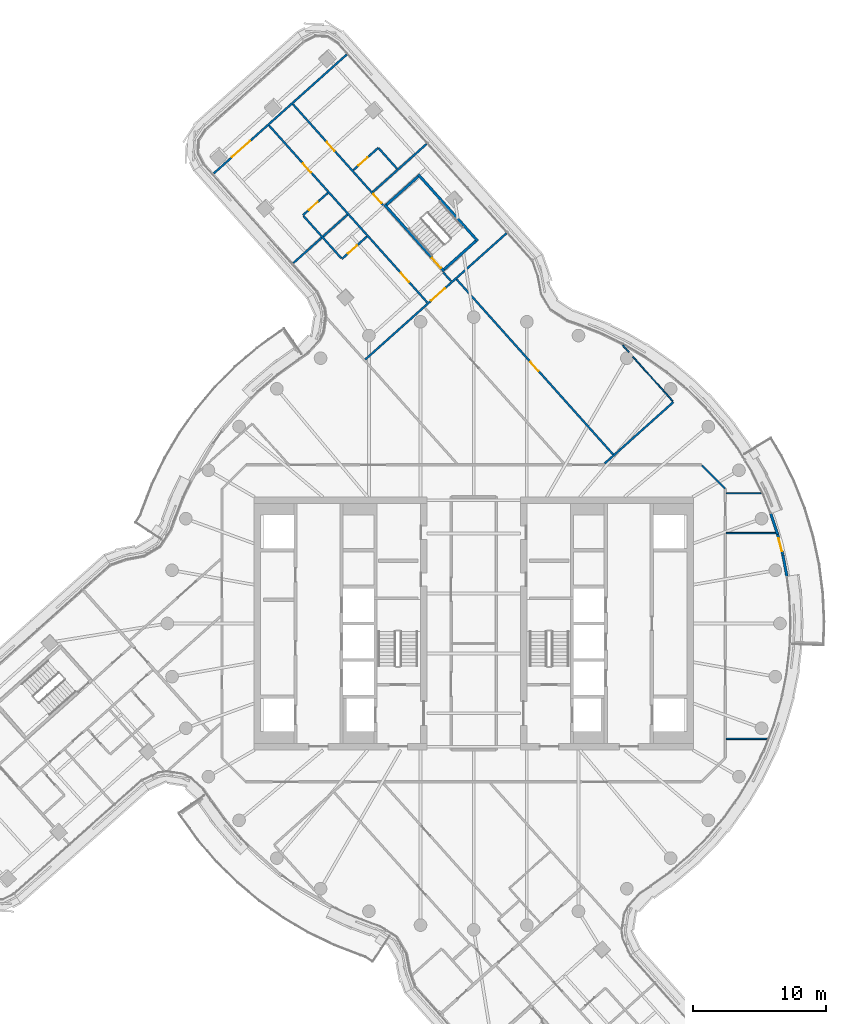
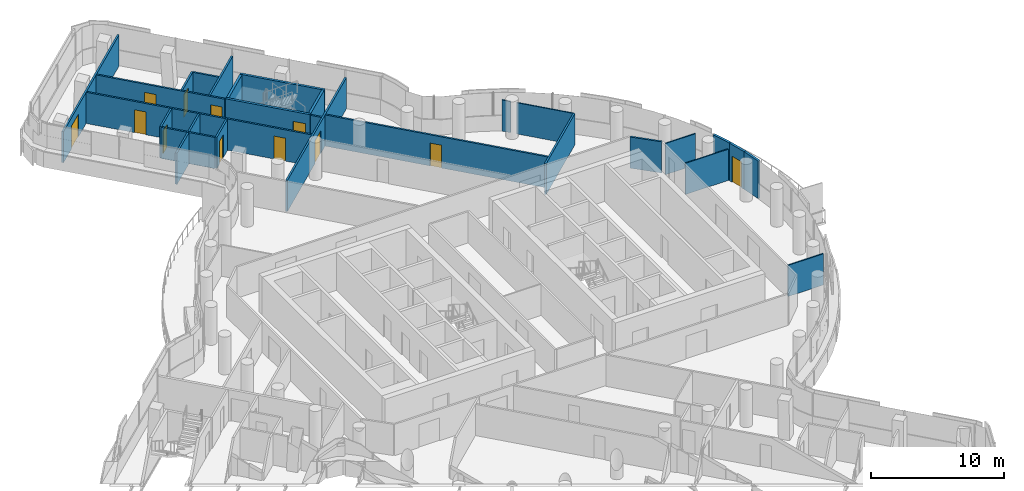
# One storey, part 24 of 33: 27 walls, 12 doors, 12 openings.
"""IFC4 building model written with IfcOpenShell, lengths in metres."""

from ifc_helpers import new_model, si_unit, direction, frame, frame_2d, origin, place, context, subcontext, project, spatial, polyline, rectangle, outline, extrude, material, layer, layer_set, type_object, element, fill, save


model = new_model("IFC4")

# Units and contexts
model_context = context("Model", 3, precision=1e-05, world=origin(), true_north=direction((0.0, 1.0)))
body_context = subcontext(model_context, "Body", "Model", "MODEL_VIEW")
ifc_project = project(units=[si_unit("LENGTHUNIT", "METRE"), si_unit("AREAUNIT", "SQUARE_METRE"), si_unit("VOLUMEUNIT", "CUBIC_METRE"), si_unit("PLANEANGLEUNIT", "RADIAN"), si_unit("MASSUNIT", "GRAM", prefix="KILO")], contexts=[model_context])

# Site, building, storey
site_placement = place(None, origin())
site = spatial("IfcSite", under=ifc_project, at=site_placement, CompositionType="ELEMENT")
building_placement = place(site_placement, origin())
building = spatial("IfcBuilding", under=site, at=building_placement, Name="Tamarind Cross Interchange Tower", CompositionType="ELEMENT")
storey_placement = place(building_placement, frame((0.0, 0.0, 186.10009765625)))
storey = spatial("IfcBuildingStorey", under=building, at=storey_placement, Name="L46", CompositionType="ELEMENT", Elevation=186.10009765625)

# Walls
ifc_material_1 = material(Name="Concrete C40", Category="concrete")
ifc_layer_1 = layer(ifc_material_1, 0.199951171875)
ifc_layer_set_1 = layer_set([ifc_layer_1], Name="Concrete C40")
wall_type_1 = type_object("IfcWallType", Name="Balcony and garden door wall", PredefinedType="SOLIDWALL", material=ifc_layer_set_1)
for number, where, z_axis, x_axis, name in (
    (1, (23.515869140625, 3.539794921875, 0.0), (0.0, 0.0, 1.0), (-0.185516890039, 0.982641075627, 0.0), "EXW-L46-06-D07L"),
    (2, (22.815185546875, 6.691650390625, 0.0), (0.0, 0.0, 1.0), (-0.311196309041, 0.950345651455, 0.0), "EXW-L46-06-D07R"),
):
    element("IfcWall", number, at=place(storey_placement, frame(where, z_axis=z_axis, x_axis=x_axis)), inside=storey, type_object=wall_type_1, Name=name, PredefinedType="SOLIDWALL", context=body_context, shape_type="SweptSolid", body=[
        extrude(rectangle(XDim=1.6318359375, YDim=0.199951171875, at=frame_2d((0.81591796875, 0.0))), origin(), (0.0, 0.0, 1.0), 3.4599609375),
    ])

# Wall, opening, door
wall_1_placement = place(storey_placement, frame((23.213134765625, 5.143310546875, 0.0), z_axis=(0.0, 0.0, 1.0), x_axis=(-0.248926442894, 0.968522393148, 0.0)))
wall_1 = element("IfcWall", 3, at=wall_1_placement, inside=storey, type_object=wall_type_1, Name="EXW-L46-06-D07", PredefinedType="SOLIDWALL", context=body_context, shape_type="SweptSolid", body=[
    extrude(rectangle(XDim=1.5986328125, YDim=0.199951171875, at=frame_2d((0.79931640625, 0.0))), origin(), (0.0, 0.0, 1.0), 3.4599609375),
])
opening_1_placement = place(wall_1_placement, frame((0.29931640625, 0.0, 0.0)))
opening_1 = element("IfcOpeningElement", 4, at=opening_1_placement, cuts=wall_1, Name="Opening D2", PredefinedType="OPENING", context=body_context, shape_type="SweptSolid", body=[
    extrude(rectangle(XDim=1.0, YDim=2.39990234375, at=frame_2d((0.5, 1.199951171875))), frame((0.0, 0.10986328125, 0.0), z_axis=(0.0, -1.0, 0.0), x_axis=(1.0, 0.0, 0.0)), (0.0, 0.0, 1.0), 0.219970703125),
])
ifc_material_2 = material(Name="Aluminium and toughened glass", Category="aluminium")
door_type_1 = type_object("IfcDoorType", Name="Balcony and garden door", OperationType="SINGLE_SWING_LEFT", PredefinedType="DOOR", material=ifc_material_2)
door_1_placement = place(opening_1_placement, origin())
door_1 = element("IfcDoor", 5, at=door_1_placement, inside=storey, type_object=door_type_1, Name="DOR-L46-06-07", OperationType="SINGLE_SWING_LEFT", OverallHeight=2.39990234375, OverallWidth=1.0, PredefinedType="DOOR", context=body_context, shape_type="SweptSolid", body=[
    extrude(rectangle(XDim=1.0, YDim=2.39990234375, at=frame_2d((0.5, 1.199951171875))), frame((0.0, 0.02490234375, 0.0), z_axis=(0.0, -1.0, 0.0), x_axis=(1.0, 0.0, 0.0)), (0.0, 0.0, 1.0), 0.050048828125),
])
fill(opening_1, door_1)

# Walls
ifc_material_3 = material(Name="Gypsum board partition on steel studs", Category="steel")
ifc_layer_2 = layer(ifc_material_3, 0.10009765625)
ifc_layer_set_2 = layer_set([ifc_layer_2], Name="Gypsum board partition on steel studs")
wall_type_2 = type_object("IfcWallType", Name="Partition 100 mm EI 90", PredefinedType="PARTITIONING", material=ifc_layer_set_2)
wall_2_placement = place(storey_placement, frame((11.188232421875, 20.8876953125, 0.0), z_axis=(0.0, 0.0, 1.0), x_axis=(0.666420937465, -0.74557570649, 0.0)))
element("IfcWall", 6, at=wall_2_placement, inside=storey, type_object=wall_type_2, Name="Partition L46-032", PredefinedType="PARTITIONING", context=body_context, shape_type="SweptSolid", body=[
    extrude(rectangle(XDim=0.706298828125, YDim=0.10009765625, at=frame_2d((0.35302734375, 0.0))), origin(), (0.0, 0.0, 1.0), 2.864013671875),
])
wall_3_placement = place(storey_placement, frame((11.955322265625, 20.029296875, 0.0), z_axis=(0.0, 0.0, 1.0), x_axis=(0.666367019428, -0.745623896759, 0.0)))
element("IfcWall", 7, at=wall_3_placement, inside=storey, type_object=wall_type_2, Name="Partition L46-033", PredefinedType="PARTITIONING", context=body_context, shape_type="SweptSolid", body=[
    extrude(rectangle(XDim=4.488037109375, YDim=0.10009765625, at=frame_2d((2.244140625, 0.0))), origin(), (0.0, 0.0, 1.0), 2.864013671875),
])
wall_4_placement = place(storey_placement, frame((18.955078125, -8.6640625, 0.0), z_axis=(0.0, 0.0, 1.0), x_axis=(1.0, 0.0, 0.0)))
element("IfcWall", 8, at=wall_4_placement, inside=storey, type_object=wall_type_2, Name="Partition L46-041", PredefinedType="PARTITIONING", context=body_context, shape_type="SweptSolid", body=[
    extrude(rectangle(XDim=3.07763671875, YDim=0.10009765625, at=frame_2d((1.538818359375, 0.0))), origin(), (0.0, 0.0, 1.0), 2.864013671875),
])
wall_5_placement = place(storey_placement, frame((18.955078125, 6.781982421875, 0.0), z_axis=(0.0, 0.0, 1.0), x_axis=(1.0, 0.0, 0.0)))
element("IfcWall", 9, at=wall_5_placement, inside=storey, type_object=wall_type_2, Name="Partition L46-042", PredefinedType="PARTITIONING", context=body_context, shape_type="SweptSolid", body=[
    extrude(rectangle(XDim=3.727294921875, YDim=0.10009765625, at=frame_2d((1.86376953125, 0.0))), origin(), (0.0, 0.0, 1.0), 2.864013671875),
])
wall_6_placement = place(storey_placement, frame((18.955078125, 9.781982421875, 0.0), z_axis=(0.0, 0.0, 1.0), x_axis=(1.0, 0.0, 0.0)))
element("IfcWall", 10, at=wall_6_placement, inside=storey, type_object=wall_type_2, Name="Partition L46-043", PredefinedType="PARTITIONING", context=body_context, shape_type="SweptSolid", body=[
    extrude(rectangle(XDim=2.618408203125, YDim=0.10009765625, at=frame_2d((1.30908203125, 0.0))), origin(), (0.0, 0.0, 1.0), 2.864013671875),
])

# Wall, openings, doors
ifc_layer_3 = layer(ifc_material_3, 0.14990234375)
ifc_layer_set_3 = layer_set([ifc_layer_3], Name="Gypsum board partition on steel studs")
wall_type_3 = type_object("IfcWallType", Name="Partition 150 mm EI 120", PredefinedType="PARTITIONING", material=ifc_layer_set_3)
wall_7_placement = place(storey_placement, frame((-15.36962890625, 37.394287109375, 0.0), z_axis=(0.0, 0.0, 1.0), x_axis=(0.666444780656, -0.745554393949, 0.0)))
wall_7 = element("IfcWall", 11, at=wall_7_placement, inside=storey, type_object=wall_type_3, Name="Partition L46-012", PredefinedType="PARTITIONING", context=body_context, shape_type="SweptSolid", body=[
    extrude(rectangle(XDim=17.8408203125, YDim=0.14990234375, at=frame_2d((8.92041015625, 0.0))), origin(), (0.0, 0.0, 1.0), 2.864013671875),
])
opening_2_placement = place(wall_7_placement, frame((14.87060546875, 0.0, 0.0)))
opening_2 = element("IfcOpeningElement", 12, at=opening_2_placement, cuts=wall_7, Name="Opening D06", PredefinedType="OPENING", context=body_context, shape_type="SweptSolid", body=[
    extrude(rectangle(XDim=0.89990234375, YDim=2.10009765625, at=frame_2d((0.449951171875, 1.050048828125))), frame((0.0, 0.0849609375, 0.0), z_axis=(0.0, -1.0, 0.0), x_axis=(1.0, 0.0, 0.0)), (0.0, 0.0, 1.0), 0.169921875),
])
opening_3_placement = place(wall_7_placement, frame((3.820068359375, 0.0, 0.0)))
opening_3 = element("IfcOpeningElement", 13, at=opening_3_placement, cuts=wall_7, Name="Opening D07", PredefinedType="OPENING", context=body_context, shape_type="SweptSolid", body=[
    extrude(rectangle(XDim=0.89990234375, YDim=2.10009765625, at=frame_2d((0.449951171875, 1.050048828125))), frame((0.0, 0.0849609375, 0.0), z_axis=(0.0, -1.0, 0.0), x_axis=(1.0, 0.0, 0.0)), (0.0, 0.0, 1.0), 0.169921875),
])
ifc_material_4 = material(Name="Fire-resisting door set")
door_type_2 = type_object("IfcDoorType", Name="Interior door 900 x 2100 FD60S", OperationType="SINGLE_SWING_LEFT", PredefinedType="DOOR", material=ifc_material_4)
door_2_placement = place(opening_2_placement, frame((0.89990234375, 0.0, 0.0), z_axis=(0.0, 0.0, 1.0), x_axis=(-1.0, 0.0, 0.0)))
door_2 = element("IfcDoor", 14, at=door_2_placement, inside=storey, type_object=door_type_2, Name="Door D06", OperationType="SINGLE_SWING_RIGHT", OverallHeight=2.10009765625, OverallWidth=0.89990234375, PredefinedType="DOOR", context=body_context, shape_type="SweptSolid", body=[
    extrude(rectangle(XDim=0.89990234375, YDim=2.10009765625, at=frame_2d((0.449951171875, 1.050048828125))), frame((0.0, 0.02490234375, 0.0), z_axis=(0.0, -1.0, 0.0), x_axis=(1.0, 0.0, 0.0)), (0.0, 0.0, 1.0), 0.050048828125),
])
fill(opening_2, door_2)
door_3_placement = place(opening_3_placement, frame((0.89990234375, 0.0, 0.0), z_axis=(0.0, 0.0, 1.0), x_axis=(-1.0, 0.0, 0.0)))
door_3 = element("IfcDoor", 15, at=door_3_placement, inside=storey, type_object=door_type_2, Name="Door D07", OperationType="SINGLE_SWING_LEFT", OverallHeight=2.10009765625, OverallWidth=0.89990234375, PredefinedType="DOOR", context=body_context, shape_type="SweptSolid", body=[
    extrude(rectangle(XDim=0.89990234375, YDim=2.10009765625, at=frame_2d((0.449951171875, 1.050048828125))), frame((0.0, 0.02490234375, 0.0), z_axis=(0.0, -1.0, 0.0), x_axis=(1.0, 0.0, 0.0)), (0.0, 0.0, 1.0), 0.050048828125),
])
fill(opening_3, door_3)

wall_8_placement = place(storey_placement, frame((-13.57958984375, 38.993408203125, 0.0), z_axis=(0.0, 0.0, 1.0), x_axis=(0.666409860498, -0.745585607312, 0.0)))
wall_8 = element("IfcWall", 16, at=wall_8_placement, inside=storey, type_object=wall_type_3, Name="Partition L46-015", PredefinedType="PARTITIONING", context=body_context, shape_type="SweptSolid", body=[
    extrude(rectangle(XDim=10.1787109375, YDim=0.14990234375, at=frame_2d((5.08935546875, 0.0))), origin(), (0.0, 0.0, 1.0), 2.864013671875),
])
opening_4_placement = place(wall_8_placement, frame((3.820068359375, 0.0, 0.0)))
opening_4 = element("IfcOpeningElement", 17, at=opening_4_placement, cuts=wall_8, Name="Opening D08", PredefinedType="OPENING", context=body_context, shape_type="SweptSolid", body=[
    extrude(rectangle(XDim=0.89990234375, YDim=2.10009765625, at=frame_2d((0.449951171875, 1.050048828125))), frame((0.0, 0.0849609375, 0.0), z_axis=(0.0, -1.0, 0.0), x_axis=(1.0, 0.0, 0.0)), (0.0, 0.0, 1.0), 0.169921875),
])
opening_5_placement = place(wall_8_placement, frame((9.0693359375, 0.0, 0.0)))
opening_5 = element("IfcOpeningElement", 18, at=opening_5_placement, cuts=wall_8, Name="Opening D09", PredefinedType="OPENING", context=body_context, shape_type="SweptSolid", body=[
    extrude(rectangle(XDim=0.89990234375, YDim=2.10009765625, at=frame_2d((0.449951171875, 1.050048828125))), frame((0.0, 0.0849609375, 0.0), z_axis=(0.0, -1.0, 0.0), x_axis=(1.0, 0.0, 0.0)), (0.0, 0.0, 1.0), 0.169921875),
])
door_4_placement = place(opening_4_placement, origin())
door_4 = element("IfcDoor", 19, at=door_4_placement, inside=storey, type_object=door_type_2, Name="Door D08", OperationType="SINGLE_SWING_RIGHT", OverallHeight=2.10009765625, OverallWidth=0.89990234375, PredefinedType="DOOR", context=body_context, shape_type="SweptSolid", body=[
    extrude(rectangle(XDim=0.89990234375, YDim=2.10009765625, at=frame_2d((0.449951171875, 1.050048828125))), frame((0.0, 0.02490234375, 0.0), z_axis=(0.0, -1.0, 0.0), x_axis=(1.0, 0.0, 0.0)), (0.0, 0.0, 1.0), 0.050048828125),
])
fill(opening_4, door_4)
door_5_placement = place(opening_5_placement, origin())
door_5 = element("IfcDoor", 20, at=door_5_placement, inside=storey, type_object=door_type_2, Name="Door D09", OperationType="SINGLE_SWING_LEFT", OverallHeight=2.10009765625, OverallWidth=0.89990234375, PredefinedType="DOOR", context=body_context, shape_type="SweptSolid", body=[
    extrude(rectangle(XDim=0.89990234375, YDim=2.10009765625, at=frame_2d((0.449951171875, 1.050048828125))), frame((0.0, 0.02490234375, 0.0), z_axis=(0.0, -1.0, 0.0), x_axis=(1.0, 0.0, 0.0)), (0.0, 0.0, 1.0), 0.050048828125),
])
fill(opening_5, door_5)

# Walls
wall_9_placement = place(storey_placement, frame((-2.27734375, 26.348388671875, 0.0), z_axis=(0.0, 0.0, 1.0), x_axis=(0.666291571948, -0.745691317605, 0.0)))
element("IfcWall", 21, at=wall_9_placement, inside=storey, type_object=wall_type_3, Name="Partition L46-016", PredefinedType="PARTITIONING", context=body_context, shape_type="SweptSolid", body=[
    extrude(rectangle(XDim=0.87939453125, YDim=0.14990234375, at=frame_2d((0.439697265625, 0.0))), origin(), (0.0, 0.0, 1.0), 2.864013671875),
])
wall_10_placement = place(storey_placement, frame((-12.780029296875, 30.59521484375, 0.0), z_axis=(0.0, 0.0, 1.0), x_axis=(0.666724335907, -0.745304407547, 0.0)))
element("IfcWall", 22, at=wall_10_placement, inside=storey, type_object=wall_type_3, Name="Partition L46-017", PredefinedType="PARTITIONING", context=body_context, shape_type="SweptSolid", body=[
    extrude(rectangle(XDim=4.250244140625, YDim=0.14990234375, at=frame_2d((2.125, 0.0))), origin(), (0.0, 0.0, 1.0), 2.864013671875),
])
wall_11_placement = place(storey_placement, frame((-7.13623046875, 35.686279296875, 0.0), z_axis=(0.0, 0.0, 1.0), x_axis=(0.666379583665, -0.74561266786, 0.0)))
element("IfcWall", 23, at=wall_11_placement, inside=storey, type_object=wall_type_3, Name="Partition L46-020", PredefinedType="PARTITIONING", context=body_context, shape_type="SweptSolid", body=[
    extrude(rectangle(XDim=2.079833984375, YDim=0.14990234375, at=frame_2d((1.0400390625, 0.0))), origin(), (0.0, 0.0, 1.0), 2.864013671875),
])

# Wall, opening, door
wall_12_placement = place(storey_placement, frame((-1.28662109375, 25.83935546875, 0.0), z_axis=(0.0, 0.0, 1.0), x_axis=(0.666445254809, -0.745553970107, 0.0)))
wall_12 = element("IfcWall", 24, at=wall_12_placement, inside=storey, type_object=wall_type_3, Name="Partition L46-024", PredefinedType="PARTITIONING", context=body_context, shape_type="SweptSolid", body=[
    extrude(rectangle(XDim=17.640380859375, YDim=0.14990234375, at=frame_2d((8.8203125, 0.0))), origin(), (0.0, 0.0, 1.0), 2.864013671875),
])
opening_6_placement = place(wall_12_placement, frame((8.320068359375, 0.0, 0.0)))
opening_6 = element("IfcOpeningElement", 25, at=opening_6_placement, cuts=wall_12, Name="Opening D13", PredefinedType="OPENING", context=body_context, shape_type="SweptSolid", body=[
    extrude(rectangle(XDim=0.89990234375, YDim=2.10009765625, at=frame_2d((0.449951171875, 1.050048828125))), frame((0.0, 0.0849609375, 0.0), z_axis=(0.0, -1.0, 0.0), x_axis=(1.0, 0.0, 0.0)), (0.0, 0.0, 1.0), 0.169921875),
])
door_6_placement = place(opening_6_placement, origin())
door_6 = element("IfcDoor", 26, at=door_6_placement, inside=storey, type_object=door_type_2, Name="Door D13", OperationType="SINGLE_SWING_RIGHT", OverallHeight=2.10009765625, OverallWidth=0.89990234375, PredefinedType="DOOR", context=body_context, shape_type="SweptSolid", body=[
    extrude(rectangle(XDim=0.89990234375, YDim=2.10009765625, at=frame_2d((0.449951171875, 1.050048828125))), frame((0.0, 0.02490234375, 0.0), z_axis=(0.0, -1.0, 0.0), x_axis=(1.0, 0.0, 0.0)), (0.0, 0.0, 1.0), 0.050048828125),
])
fill(opening_6, door_6)

# Wall
wall_13_placement = place(storey_placement, frame((17.12841796875, 11.87158203125, 0.0), z_axis=(0.0, 0.0, 1.0), x_axis=(0.707106781187, -0.707106781187, 0.0)))
element("IfcWall", 27, at=wall_13_placement, inside=storey, type_object=wall_type_3, Name="Partition L46-035", PredefinedType="PARTITIONING", context=body_context, shape_type="SweptSolid", body=[
    extrude(rectangle(XDim=2.465087890625, YDim=0.14990234375, at=frame_2d((1.232421875, 0.0))), origin(), (0.0, 0.0, 1.0), 2.864013671875),
])

# Wall, opening, door
wall_14_placement = place(storey_placement, frame((-19.525390625, 33.78662109375, 0.0), z_axis=(0.0, 0.0, 1.0), x_axis=(0.745523782554, 0.666479024161, 0.0)))
wall_14 = element("IfcWall", 28, at=wall_14_placement, inside=storey, type_object=wall_type_3, Name="Partition L46-054", PredefinedType="PARTITIONING", context=body_context, shape_type="SweptSolid", body=[
    extrude(rectangle(XDim=13.401611328125, YDim=0.14990234375, at=frame_2d((6.70068359375, 0.0))), origin(), (0.0, 0.0, 1.0), 2.864013671875),
])
opening_7_placement = place(wall_14_placement, frame((1.85009765625, 0.0, 0.0)))
opening_7 = element("IfcOpeningElement", 29, at=opening_7_placement, cuts=wall_14, Name="Opening D30", PredefinedType="OPENING", context=body_context, shape_type="SweptSolid", body=[
    extrude(rectangle(XDim=1.800048828125, YDim=2.10009765625, at=frame_2d((0.89990234375, 1.050048828125))), frame((0.0, 0.0849609375, 0.0), z_axis=(0.0, -1.0, 0.0), x_axis=(1.0, 0.0, 0.0)), (0.0, 0.0, 1.0), 0.169921875),
])
door_type_3 = type_object("IfcDoorType", Name="Interior door 1800 x 2100 FD60S", OperationType="DOUBLE_DOOR_SINGLE_SWING", PredefinedType="DOOR", material=ifc_material_4)
door_7_placement = place(opening_7_placement, origin())
door_7 = element("IfcDoor", 30, at=door_7_placement, inside=storey, type_object=door_type_3, Name="Door D30", OperationType="DOUBLE_DOOR_SINGLE_SWING", OverallHeight=2.10009765625, OverallWidth=1.800048828125, PredefinedType="DOOR", context=body_context, shape_type="SweptSolid", body=[
    extrude(rectangle(XDim=1.800048828125, YDim=2.10009765625, at=frame_2d((0.89990234375, 1.050048828125))), frame((0.0, 0.02490234375, 0.0), z_axis=(0.0, -1.0, 0.0), x_axis=(1.0, 0.0, 0.0)), (0.0, 0.0, 1.0), 0.050048828125),
])
fill(opening_7, door_7)

# Walls
wall_15_placement = place(storey_placement, frame((-13.550048828125, 27.056884765625, 0.0), z_axis=(0.0, 0.0, 1.0), x_axis=(0.745704850379, 0.666276426208, 0.0)))
element("IfcWall", 31, at=wall_15_placement, inside=storey, type_object=wall_type_3, Name="Partition L46-056", PredefinedType="PARTITIONING", context=body_context, shape_type="SweptSolid", body=[
    extrude(rectangle(XDim=5.452880859375, YDim=0.14990234375, at=frame_2d((2.7265625, 0.0))), origin(), (0.0, 0.0, 1.0), 2.864013671875),
])
wall_16_placement = place(storey_placement, frame((-7.575439453125, 32.395263671875, 0.0), z_axis=(0.0, 0.0, 1.0), x_axis=(0.745701817201, 0.666279820963, 0.0)))
element("IfcWall", 32, at=wall_16_placement, inside=storey, type_object=wall_type_3, Name="Partition L46-057", PredefinedType="PARTITIONING", context=body_context, shape_type="SweptSolid", body=[
    extrude(rectangle(XDim=5.41943359375, YDim=0.14990234375, at=frame_2d((2.709716796875, 0.0))), origin(), (0.0, 0.0, 1.0), 2.864013671875),
])

# Wall, opening, door
wall_17_placement = place(storey_placement, frame((-12.830078125, 30.65087890625, 0.0), z_axis=(0.0, 0.0, 1.0), x_axis=(0.745562922809, 0.666435239263, 0.0)))
wall_17 = element("IfcWall", 33, at=wall_17_placement, inside=storey, type_object=wall_type_3, Name="Partition L46-058", PredefinedType="PARTITIONING", context=body_context, shape_type="SweptSolid", body=[
    extrude(rectangle(XDim=2.520751953125, YDim=0.14990234375, at=frame_2d((1.26025390625, 0.0))), origin(), (0.0, 0.0, 1.0), 2.864013671875),
])
opening_8_placement = place(wall_17_placement, frame((0.60009765625, 0.0, 0.0)))
opening_8 = element("IfcOpeningElement", 34, at=opening_8_placement, cuts=wall_17, Name="Opening D31", PredefinedType="OPENING", context=body_context, shape_type="SweptSolid", body=[
    extrude(rectangle(XDim=0.89990234375, YDim=2.10009765625, at=frame_2d((0.449951171875, 1.050048828125))), frame((0.0, 0.0849609375, 0.0), z_axis=(0.0, -1.0, 0.0), x_axis=(1.0, 0.0, 0.0)), (0.0, 0.0, 1.0), 0.169921875),
])
door_8_placement = place(opening_8_placement, frame((0.89990234375, 0.0, 0.0), z_axis=(0.0, 0.0, 1.0), x_axis=(-1.0, 0.0, 0.0)))
door_8 = element("IfcDoor", 35, at=door_8_placement, inside=storey, type_object=door_type_2, Name="Door D31", OperationType="SINGLE_SWING_LEFT", OverallHeight=2.10009765625, OverallWidth=0.89990234375, PredefinedType="DOOR", context=body_context, shape_type="SweptSolid", body=[
    extrude(rectangle(XDim=0.89990234375, YDim=2.10009765625, at=frame_2d((0.449951171875, 1.050048828125))), frame((0.0, 0.02490234375, 0.0), z_axis=(0.0, -1.0, 0.0), x_axis=(1.0, 0.0, 0.0)), (0.0, 0.0, 1.0), 0.050048828125),
])
fill(opening_8, door_8)

wall_18_placement = place(storey_placement, frame((-9.042236328125, 34.036376953125, 0.0), z_axis=(0.0, 0.0, 1.0), x_axis=(0.745568030803, 0.66642952474, 0.0)))
wall_18 = element("IfcWall", 36, at=wall_18_placement, inside=storey, type_object=wall_type_3, Name="Partition L46-059", PredefinedType="PARTITIONING", context=body_context, shape_type="SweptSolid", body=[
    extrude(rectangle(XDim=2.5205078125, YDim=0.14990234375, at=frame_2d((1.26025390625, 0.0))), origin(), (0.0, 0.0, 1.0), 2.864013671875),
])
opening_9_placement = place(wall_18_placement, frame((0.52001953125, 0.0, 0.0)))
opening_9 = element("IfcOpeningElement", 37, at=opening_9_placement, cuts=wall_18, Name="Opening D32", PredefinedType="OPENING", context=body_context, shape_type="SweptSolid", body=[
    extrude(rectangle(XDim=0.89990234375, YDim=2.10009765625, at=frame_2d((0.449951171875, 1.050048828125))), frame((0.0, 0.0849609375, 0.0), z_axis=(0.0, -1.0, 0.0), x_axis=(1.0, 0.0, 0.0)), (0.0, 0.0, 1.0), 0.169921875),
])
door_9_placement = place(opening_9_placement, frame((0.89990234375, 0.0, 0.0), z_axis=(0.0, 0.0, 1.0), x_axis=(-1.0, 0.0, 0.0)))
door_9 = element("IfcDoor", 38, at=door_9_placement, inside=storey, type_object=door_type_2, Name="Door D32", OperationType="SINGLE_SWING_LEFT", OverallHeight=2.10009765625, OverallWidth=0.89990234375, PredefinedType="DOOR", context=body_context, shape_type="SweptSolid", body=[
    extrude(rectangle(XDim=0.89990234375, YDim=2.10009765625, at=frame_2d((0.449951171875, 1.050048828125))), frame((0.0, 0.02490234375, 0.0), z_axis=(0.0, -1.0, 0.0), x_axis=(1.0, 0.0, 0.0)), (0.0, 0.0, 1.0), 0.050048828125),
])
fill(opening_9, door_9)

wall_19_placement = place(storey_placement, frame((-9.89697265625, 27.37109375, 0.0), z_axis=(0.0, 0.0, 1.0), x_axis=(0.745631512628, 0.666358497639, 0.0)))
wall_19 = element("IfcWall", 39, at=wall_19_placement, inside=storey, type_object=wall_type_3, Name="Partition L46-060", PredefinedType="PARTITIONING", context=body_context, shape_type="SweptSolid", body=[
    extrude(rectangle(XDim=2.519287109375, YDim=0.14990234375, at=frame_2d((1.259765625, 0.0))), origin(), (0.0, 0.0, 1.0), 2.864013671875),
])
opening_10_placement = place(wall_19_placement, frame((0.60009765625, 0.0, 0.0)))
opening_10 = element("IfcOpeningElement", 40, at=opening_10_placement, cuts=wall_19, Name="Opening D33", PredefinedType="OPENING", context=body_context, shape_type="SweptSolid", body=[
    extrude(rectangle(XDim=0.89990234375, YDim=2.10009765625, at=frame_2d((0.449951171875, 1.050048828125))), frame((0.0, 0.0849609375, 0.0), z_axis=(0.0, -1.0, 0.0), x_axis=(1.0, 0.0, 0.0)), (0.0, 0.0, 1.0), 0.169921875),
])
door_10_placement = place(opening_10_placement, origin())
door_10 = element("IfcDoor", 41, at=door_10_placement, inside=storey, type_object=door_type_2, Name="Door D33", OperationType="SINGLE_SWING_RIGHT", OverallHeight=2.10009765625, OverallWidth=0.89990234375, PredefinedType="DOOR", context=body_context, shape_type="SweptSolid", body=[
    extrude(rectangle(XDim=0.89990234375, YDim=2.10009765625, at=frame_2d((0.449951171875, 1.050048828125))), frame((0.0, 0.02490234375, 0.0), z_axis=(0.0, -1.0, 0.0), x_axis=(1.0, 0.0, 0.0)), (0.0, 0.0, 1.0), 0.050048828125),
])
fill(opening_10, door_10)

wall_20_placement = place(storey_placement, frame((-8.139404296875, 19.8212890625, 0.0), z_axis=(0.0, 0.0, 1.0), x_axis=(0.745582042357, 0.666413848982, 0.0)))
wall_20 = element("IfcWall", 42, at=wall_20_placement, inside=storey, type_object=wall_type_3, Name="Partition L46-061", PredefinedType="PARTITIONING", context=body_context, shape_type="SweptSolid", body=[
    extrude(rectangle(XDim=14.219482421875, YDim=0.14990234375, at=frame_2d((7.10986328125, 0.0))), origin(), (0.0, 0.0, 1.0), 2.864013671875),
])
opening_11_placement = place(wall_20_placement, frame((6.6201171875, 0.0, 0.0)))
opening_11 = element("IfcOpeningElement", 43, at=opening_11_placement, cuts=wall_20, Name="Opening D34", PredefinedType="OPENING", context=body_context, shape_type="SweptSolid", body=[
    extrude(rectangle(XDim=1.39990234375, YDim=2.10009765625, at=frame_2d((0.699951171875, 1.050048828125))), frame((0.0, 0.0849609375, 0.0), z_axis=(0.0, -1.0, 0.0), x_axis=(1.0, 0.0, 0.0)), (0.0, 0.0, 1.0), 0.169921875),
])
door_type_4 = type_object("IfcDoorType", Name="Interior door 1400 x 2100 FD60S", OperationType="DOUBLE_DOOR_SINGLE_SWING", PredefinedType="DOOR", material=ifc_material_4)
door_11_placement = place(opening_11_placement, frame((1.39990234375, 0.0, 0.0), z_axis=(0.0, 0.0, 1.0), x_axis=(-1.0, 0.0, 0.0)))
door_11 = element("IfcDoor", 44, at=door_11_placement, inside=storey, type_object=door_type_4, Name="Door D34", OperationType="DOUBLE_DOOR_SINGLE_SWING", OverallHeight=2.10009765625, OverallWidth=1.39990234375, PredefinedType="DOOR", context=body_context, shape_type="SweptSolid", body=[
    extrude(rectangle(XDim=1.39990234375, YDim=2.10009765625, at=frame_2d((0.699951171875, 1.050048828125))), frame((0.0, 0.02490234375, 0.0), z_axis=(0.0, -1.0, 0.0), x_axis=(1.0, 0.0, 0.0)), (0.0, 0.0, 1.0), 0.050048828125),
])
fill(opening_11, door_11)

# Wall
wall_21_placement = place(storey_placement, frame((9.834716796875, 12.01318359375, 0.0), z_axis=(0.0, 0.0, 1.0), x_axis=(0.745799986643, 0.666169933218, 0.0)))
element("IfcWall", 45, at=wall_21_placement, inside=storey, type_object=wall_type_3, Name="Partition L46-072", PredefinedType="PARTITIONING", context=body_context, shape_type="SweptSolid", body=[
    extrude(rectangle(XDim=6.9228515625, YDim=0.14990234375, at=frame_2d((3.46142578125, 0.0))), origin(), (0.0, 0.0, 1.0), 2.864013671875),
])

# Wall, opening, door
ifc_layer_4 = layer(ifc_material_1, 0.199951171875)
ifc_layer_set_4 = layer_set([ifc_layer_4], Name="Concrete C40")
wall_type_4 = type_object("IfcWallType", Name="Stair shaft wall 200 mm Concrete C40", PredefinedType="SHEAR", material=ifc_layer_set_4)
wall_22_placement = place(storey_placement, frame((-2.2294921875, 26.445068359375, -0.14013671875), z_axis=(0.0, 0.0, 1.0), x_axis=(-0.666426243164, 0.745570964042, 0.0)))
wall_22 = element("IfcWall", 46, at=wall_22_placement, inside=storey, type_object=wall_type_4, Name="Core wall CWL-L46-ST4-H", PredefinedType="SHEAR", context=body_context, shape_type="SweptSolid", body=[
    extrude(rectangle(XDim=6.699951171875, YDim=0.199951171875, at=frame_2d((3.35009765625, 0.0))), origin(), (0.0, 0.0, 1.0), 3.004150390625),
])
opening_12_placement = place(wall_22_placement, frame((0.35009765625, 0.0, 0.0)))
opening_12 = element("IfcOpeningElement", 47, at=opening_12_placement, cuts=wall_22, Name="Opening ST4L46", PredefinedType="OPENING", context=body_context, shape_type="SweptSolid", body=[
    extrude(rectangle(XDim=1.0, YDim=2.10009765625, at=frame_2d((0.5, 1.050048828125))), frame((0.0, 0.10986328125, 0.0), z_axis=(0.0, -1.0, 0.0), x_axis=(1.0, 0.0, 0.0)), (0.0, 0.0, 1.0), 0.219970703125),
])
ifc_material_5 = material(Name="Steel, fire-resisting", Category="steel")
door_type_5 = type_object("IfcDoorType", Name="Core fire door 1000 x 2100 FD90", OperationType="SINGLE_SWING_LEFT", PredefinedType="DOOR", material=ifc_material_5)
door_12_placement = place(opening_12_placement, origin())
door_12 = element("IfcDoor", 48, at=door_12_placement, inside=storey, type_object=door_type_5, Name="L46 stair door ST4", OperationType="SINGLE_SWING_LEFT", OverallHeight=2.10009765625, OverallWidth=1.0, PredefinedType="DOOR", context=body_context, shape_type="SweptSolid", body=[
    extrude(rectangle(XDim=1.0, YDim=2.10009765625, at=frame_2d((0.5, 1.050048828125))), frame((0.0, 0.02490234375, 0.0), z_axis=(0.0, -1.0, 0.0), x_axis=(1.0, 0.0, 0.0)), (0.0, 0.0, 1.0), 0.050048828125),
])
fill(opening_12, door_12)

# Walls
wall_23_placement = place(storey_placement, frame((0.305419921875, 28.7109375, -0.14013671875), z_axis=(0.0, 0.0, 1.0), x_axis=(-0.666446497792, 0.745552859012, 0.0)))
element("IfcWall", 49, at=wall_23_placement, inside=storey, type_object=wall_type_4, Name="Core wall CWL-L46-ST4-C", PredefinedType="SHEAR", context=body_context, shape_type="SweptSolid", body=[
    extrude(rectangle(XDim=6.7001953125, YDim=0.199951171875, at=frame_2d((3.35009765625, 0.0))), origin(), (0.0, 0.0, 1.0), 3.004150390625),
])
wall_24_placement = place(storey_placement, frame((0.1640625, 28.718994140625, -0.14013671875), z_axis=(0.0, 0.0, 1.0), x_axis=(-0.745520592409, -0.666482592641, 0.0)))
element("IfcWall", 50, at=wall_24_placement, inside=storey, type_object=wall_type_4, Name="Core wall CWL-L46-ST4-CE", PredefinedType="SHEAR", context=body_context, shape_type="SweptSolid", body=[
    extrude(rectangle(XDim=3.2001953125, YDim=0.199951171875, at=frame_2d((1.60009765625, 0.0))), origin(), (0.0, 0.0, 1.0), 3.004150390625),
])
wall_25_placement = place(storey_placement, frame((0.0, 0.0, -0.14013671875)))
element("IfcWall", 51, at=wall_25_placement, inside=storey, type_object=wall_type_4, Name="Core wall CWL-L46-ST4-CF", PredefinedType="SHEAR", context=body_context, shape_type="SweptSolid", body=[
    extrude(outline(polyline([(-4.10107421875, 33.490478515625), (-4.234375, 33.6396484375), (-6.6201171875, 31.507080078125), (-6.48681640625, 31.35791015625), (-4.10107421875, 33.490478515625)])), origin(), (0.0, 0.0, 1.0), 3.004150390625),
])

save(model, "model.ifc")
